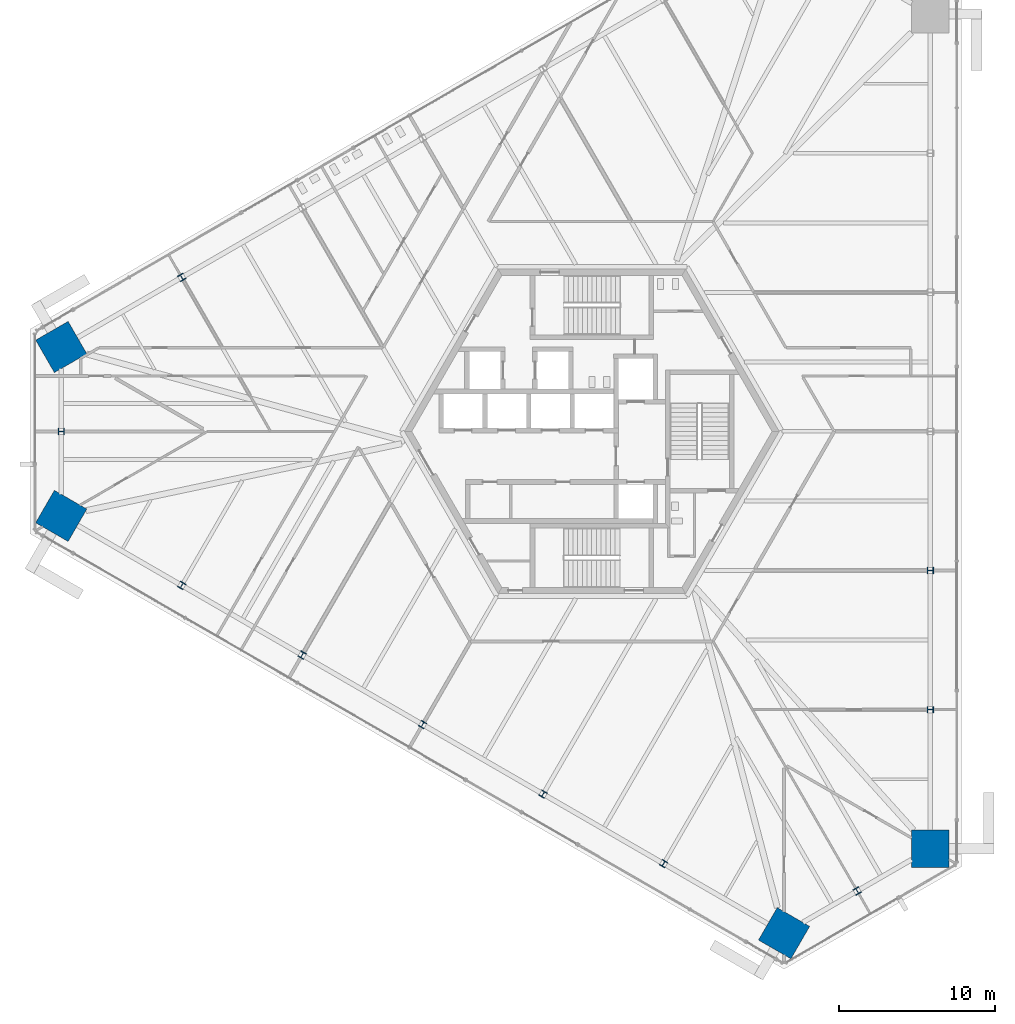
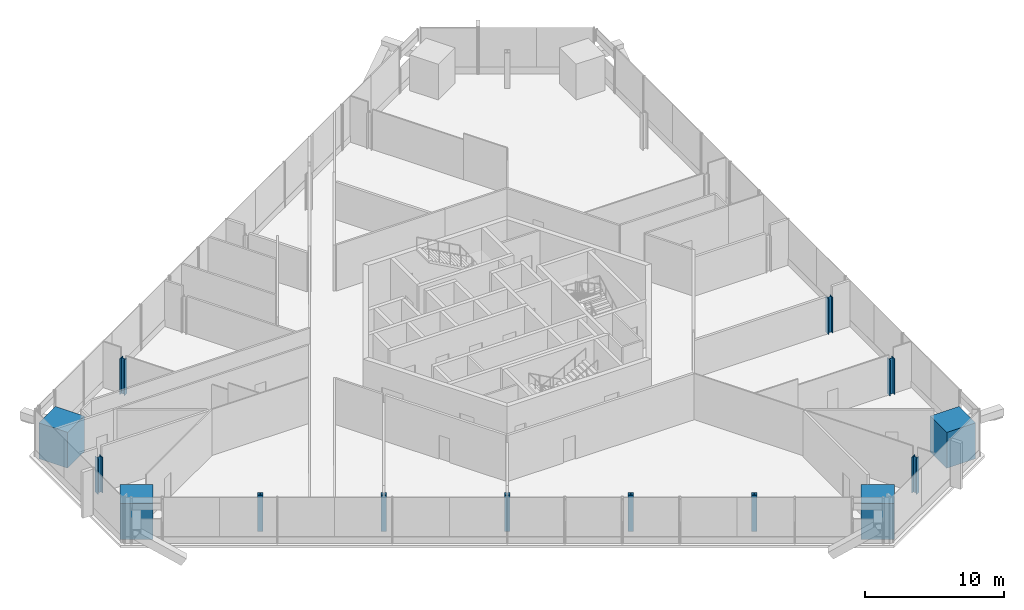
# One storey, part 1 of 22: 14 columns.
"""IFC4 building model written with IfcOpenShell, lengths in metres."""

import ifcopenshell
import ifcopenshell.guid

model = None  # the IFC model being written
_history = None  # IfcOwnerHistory: only IFC2X3 demands one
_inside = {}  # id of a spatial element -> (the spatial element, [elements in it])
_under = {}  # id of a project, library or spatial element -> (it, [spatial elements below it])
_declared = {}  # id of a project -> (the project, [libraries it declares])
_typed = {}  # id of a type object -> (the type object, [elements of that type])
_made_of = {}  # id of a material, layer set ... -> (it, [elements and type objects made of it])


def new_model(schema):
    """Start an empty IFC model of exactly this schema.

    Asked for "IFC4X3", IfcOpenShell would pick the latest addendum, in which some entities
    have other attributes; the version numbers below select the first issue.
    IFC2X3 requires an IfcOwnerHistory on every rooted entity: one is made here for all.
    """
    global model, _history
    if schema == "IFC4X3":
        model = ifcopenshell.file(schema_version=(4, 3, 0, 0))
    else:
        model = ifcopenshell.file(schema=schema)
    _inside.clear()
    _under.clear()
    _declared.clear()
    _typed.clear()
    _made_of.clear()
    _history = None
    if model.schema == "IFC2X3":
        org = make("IfcOrganization", Name="unknown")
        user = make(
            "IfcPersonAndOrganization",
            ThePerson=make("IfcPerson", FamilyName="unknown"),
            TheOrganization=org,
        )
        app = make(
            "IfcApplication",
            ApplicationDeveloper=org,
            Version="unknown",
            ApplicationFullName="unknown",
            ApplicationIdentifier="unknown",
        )
        _history = make(
            "IfcOwnerHistory",
            OwningUser=user,
            OwningApplication=app,
            ChangeAction="ADDED",
            CreationDate=0,
        )
    return model


def make(cls, **values):
    """One entity of the class cls with the attributes given. An attribute that is None is left unset."""
    return model.create_entity(
        cls, **{name: value for name, value in values.items() if value is not None}
    )


def rooted(cls, **values):
    """An entity with a GlobalId (a new one), such as an element, a storey or a relation."""
    return make(cls, GlobalId=ifcopenshell.guid.new(), OwnerHistory=_history, **values)


def si_unit(unit_type, name, prefix=None):
    """IfcSIUnit, for example si_unit("LENGTHUNIT", "METRE", prefix="MILLI")."""
    return make("IfcSIUnit", UnitType=unit_type, Prefix=prefix, Name=name)


def assignment(units):
    """IfcUnitAssignment: the units of a project."""
    return None if units is None else make("IfcUnitAssignment", Units=units)


def point(xyz):
    """IfcCartesianPoint."""
    return None if xyz is None else make("IfcCartesianPoint", Coordinates=xyz)


def direction(xyz):
    """IfcDirection."""
    return None if xyz is None else make("IfcDirection", DirectionRatios=xyz)


def frame(location, z_axis=None, x_axis=None):
    """IfcAxis2Placement3D, a coordinate frame: its origin and axes. An axis left out is left unset."""
    return make(
        "IfcAxis2Placement3D",
        Location=point(location),
        Axis=direction(z_axis),
        RefDirection=direction(x_axis),
    )


def frame_2d(location, x_axis=None):
    """IfcAxis2Placement2D, a coordinate frame in the plane: its origin and x axis."""
    return make(
        "IfcAxis2Placement2D", Location=point(location), RefDirection=direction(x_axis)
    )


def origin():
    """The frame at (0, 0, 0) with its axes left unset."""
    return frame((0.0, 0.0, 0.0))


def origin_2d():
    """The frame at (0, 0) in the plane with its x axis left unset."""
    return frame_2d((0.0, 0.0))


def place(relative_to, where):
    """IfcLocalPlacement: puts the frame where relative to a parent placement (None: the world)."""
    return make(
        "IfcLocalPlacement", PlacementRelTo=relative_to, RelativePlacement=where
    )


def context(
    kind, dimensions, precision=None, world=None, true_north=None, identifier=None
):
    """IfcGeometricRepresentationContext, for example the 3D "Model" context."""
    return make(
        "IfcGeometricRepresentationContext",
        ContextIdentifier=identifier,
        ContextType=kind,
        CoordinateSpaceDimension=dimensions,
        Precision=precision,
        WorldCoordinateSystem=world,
        TrueNorth=true_north,
    )


def subcontext(parent, identifier, kind, view, scale=None):
    """IfcGeometricRepresentationSubContext, for example "Body" below "Model"."""
    return make(
        "IfcGeometricRepresentationSubContext",
        ContextIdentifier=identifier,
        ContextType=kind,
        ParentContext=parent,
        TargetScale=scale,
        TargetView=view,
    )


def project(units=None, contexts=None):
    """IfcProject with its units and contexts."""
    return rooted(
        "IfcProject",
        Name="project",
        RepresentationContexts=contexts,
        UnitsInContext=assignment(units),
    )


def spatial(cls, under=None, at=None, **own):
    """A site, building, storey or space (cls), placed at a placement, below another one or the project."""
    s = rooted(cls, ObjectPlacement=at, **own)
    if under is not None:
        _under.setdefault(under.id(), (under, []))[1].append(s)
    return s


def profile(cls, at=None, kind="AREA", **sizes):
    """A parametric profile (cls). Its sizes go by their IFC names, for example OverallWidth=200.0."""
    return make(cls, ProfileType=kind, Position=at, **sizes)


def rectangle(**sizes):
    """IfcRectangleProfileDef."""
    return profile("IfcRectangleProfileDef", **sizes)


def i_section(**sizes):
    """IfcIShapeProfileDef."""
    return profile("IfcIShapeProfileDef", **sizes)


def extrude(swept, where, along, depth):
    """IfcExtrudedAreaSolid: the profile swept, set in the frame where, extruded along a direction by depth."""
    return make(
        "IfcExtrudedAreaSolid",
        SweptArea=swept,
        Position=where,
        ExtrudedDirection=direction(along),
        Depth=depth,
    )


def shape(context_of_items, identifier, shape_type, items):
    """IfcShapeRepresentation: the items that make up one representation, for example the "Body"."""
    return make(
        "IfcShapeRepresentation",
        ContextOfItems=context_of_items,
        RepresentationIdentifier=identifier,
        RepresentationType=shape_type,
        Items=items,
    )


def source(mapping_origin, context_of_items, identifier, shape_type, items):
    """IfcRepresentationMap: a shape defined once, which mapped items show again and again."""
    return make(
        "IfcRepresentationMap",
        MappingOrigin=mapping_origin,
        MappedRepresentation=shape(context_of_items, identifier, shape_type, items),
    )


def transform(
    local_origin,
    x_axis=None,
    y_axis=None,
    z_axis=None,
    scale=None,
    scale2=None,
    scale3=None,
    uniform=True,
):
    """IfcCartesianTransformationOperator3D, or its non-uniform kind. x_axis, y_axis, z_axis: its Axis1, 2, 3."""
    if uniform:
        return make(
            "IfcCartesianTransformationOperator3D",
            Axis1=direction(x_axis),
            Axis2=direction(y_axis),
            LocalOrigin=point(local_origin),
            Scale=scale,
            Axis3=direction(z_axis),
        )
    return make(
        "IfcCartesianTransformationOperator3DnonUniform",
        Axis1=direction(x_axis),
        Axis2=direction(y_axis),
        LocalOrigin=point(local_origin),
        Scale=scale,
        Axis3=direction(z_axis),
        Scale2=scale2,
        Scale3=scale3,
    )


def mapped(mapping_source, mapping_target):
    """IfcMappedItem: shows the shape of a source again, moved by a transform."""
    return make(
        "IfcMappedItem", MappingSource=mapping_source, MappingTarget=mapping_target
    )


def material(Name=None, Category=None):
    """IfcMaterial."""
    return make("IfcMaterial", Name=Name, Category=Category)


def material_profile(
    of_material, cross_section, Name=None, Category=None, Priority=None
):
    """IfcMaterialProfile: a cross section and its material."""
    return make(
        "IfcMaterialProfile",
        Name=Name,
        Material=of_material,
        Profile=cross_section,
        Priority=Priority,
        Category=Category,
    )


def profile_set(profiles, Name=None, composite=None):
    """IfcMaterialProfileSet."""
    return make(
        "IfcMaterialProfileSet",
        Name=Name,
        MaterialProfiles=profiles,
        CompositeProfile=composite,
    )


def made_of(thing, what):
    """Note that an element or type object is made of a material, layer set ...; save() writes the relation."""
    if what is not None:
        _made_of.setdefault(what.id(), (what, []))[1].append(thing)
    return thing


def type_object(cls, material=None, **own):
    """A type object (cls), such as IfcWallType, which elements share."""
    return made_of(rooted(cls, **own), material)


def element(
    cls,
    number,
    at=None,
    inside=None,
    cuts=None,
    type_object=None,
    material=None,
    context=None,
    identifier="Body",
    shape_type=None,
    held_by="IfcProductDefinitionShape",
    body=None,
    shapes=None,
    **own,
):
    """One element of the class cls, such as IfcWall. Its Tag is "e" and its number.

    at: its placement. inside: the storey or other place that contains it. cuts: it is an
    opening in that element (IfcRelVoidsElement). A single representation is given by context,
    identifier, shape_type and body (its items); several are given by shapes. held_by: the class
    of the entity that holds the representations. save() writes the other relations.
    """
    e = rooted(cls, Tag="e%d" % number, ObjectPlacement=at, **own)
    if body is not None:
        shapes = [shape(context, identifier, shape_type, body)]
    if shapes is not None:
        e.Representation = make(held_by, Representations=shapes)
    if inside is not None:
        _inside.setdefault(inside.id(), (inside, []))[1].append(e)
    if cuts is not None:
        rooted(
            "IfcRelVoidsElement", RelatingBuildingElement=cuts, RelatedOpeningElement=e
        )
    if type_object is not None:
        _typed.setdefault(type_object.id(), (type_object, []))[1].append(e)
    return made_of(e, material)


def aggregate(whole, parts):
    """IfcRelAggregates: a whole, such as a stair, and the parts it consists of."""
    return rooted("IfcRelAggregates", RelatingObject=whole, RelatedObjects=parts)


def save(model, path):
    """Write the relations noted so far, then the file.

    IfcRelAggregates (storeys below a building ...), IfcRelContainedInSpatialStructure (elements
    in a storey), IfcRelDefinesByType, IfcRelAssociatesMaterial and IfcRelDeclares: one each for
    every whole, place, type object, material and project.
    """
    for whole, parts in _under.values():
        aggregate(whole, parts)
    for where, things in _inside.values():
        rooted(
            "IfcRelContainedInSpatialStructure",
            RelatedElements=things,
            RelatingStructure=where,
        )
    for kind, things in _typed.values():
        rooted("IfcRelDefinesByType", RelatedObjects=things, RelatingType=kind)
    for what, things in _made_of.values():
        rooted("IfcRelAssociatesMaterial", RelatedObjects=things, RelatingMaterial=what)
    for by, libraries in _declared.values():
        rooted("IfcRelDeclares", RelatingContext=by, RelatedDefinitions=libraries)
    model.write(path)


model = new_model("IFC4")

# Units and contexts
model_context = context("Model", 3, precision=1e-05, world=origin(), true_north=direction((0.0, 1.0)))
body_context = subcontext(model_context, "Body", "Model", "MODEL_VIEW")
ifc_project = project(units=[si_unit("LENGTHUNIT", "METRE"), si_unit("AREAUNIT", "SQUARE_METRE"), si_unit("VOLUMEUNIT", "CUBIC_METRE"), si_unit("PLANEANGLEUNIT", "RADIAN"), si_unit("MASSUNIT", "GRAM", prefix="KILO")], contexts=[model_context])

# Site, building, storey
site_placement = place(None, origin())
site = spatial("IfcSite", under=ifc_project, at=site_placement, CompositionType="ELEMENT")
building_placement = place(site_placement, origin())
building = spatial("IfcBuilding", under=site, at=building_placement, Name="Triune Harvest Tower", CompositionType="ELEMENT")
storey_placement = place(building_placement, frame((0.0, 0.0, 50.39990234375)))
storey = spatial("IfcBuildingStorey", under=building, at=storey_placement, Name="L11", CompositionType="ELEMENT", Elevation=50.39990234375)

# Columns
ifc_material_1 = material(Name="Concrete 70 MPa", Category="concrete")
ifc_material_profile_1 = material_profile(ifc_material_1, rectangle(XDim=2.39990234375, YDim=2.39990234375, at=origin_2d()), Name="Composite 2400x2400")
ifc_profile_set_1 = profile_set([ifc_material_profile_1], Name="Concrete 70 MPa")
column_type_1 = type_object("IfcColumnType", Name="MC-1 Mega column Composite 2400x2400", PredefinedType="COLUMN", material=ifc_profile_set_1)
shared_shape_1 = source(origin(), body_context, "Body", "SweptSolid", [
    extrude(rectangle(XDim=2.39990234375, YDim=2.39990234375, at=origin_2d()), origin(), (0.0, 0.0, 1.0), 3.150146484375),
])
for number, where, z_axis, x_axis, name in (
    (1, (21.679443359375, -26.72998046875, 0.0), (0.0, 0.0, 1.0), (0.0, 1.0, 0.0), "col/L11/M0"),
    (2, (-33.988525390625, 5.409912109375, 0.0), (0.0, 0.0, 1.0), (-0.866025403784, -0.5, 0.0), "col/L11/M14"),
    (3, (-33.988525390625, -5.409912109375, 0.0), (0.0, 0.0, 1.0), (0.866025403784, -0.5, 0.0), "col/L11/M16"),
    (4, (12.30908203125, -32.139892578125, 0.0), (0.0, 0.0, 1.0), (0.866025403784, -0.5, 0.0), "col/L11/M22"),
):
    element("IfcColumn", number, at=place(storey_placement, frame(where, z_axis=z_axis, x_axis=x_axis)), inside=storey, type_object=column_type_1, Name=name, PredefinedType="COLUMN", context=body_context, shape_type="MappedRepresentation", body=[
        mapped(shared_shape_1, transform((0.0, 0.0, 0.0), scale=1.0)),
    ])
ifc_material_2 = material(Name="Steel ASTM A992 Gr 50", Category="steel")
ifc_material_profile_2 = material_profile(ifc_material_2, i_section(OverallWidth=0.40380859375, OverallDepth=0.406494140625, WebThickness=0.027099609375, FlangeThickness=0.043701171875, at=origin_2d()), Name="W14x233")
ifc_profile_set_2 = profile_set([ifc_material_profile_2], Name="Steel ASTM A992 Gr 50")
column_type_2 = type_object("IfcColumnType", Name="PC-1 Perimeter column W14x233", PredefinedType="COLUMN", material=ifc_profile_set_2)
shared_shape_2 = source(origin(), body_context, "Body", "SweptSolid", [
    extrude(i_section(OverallWidth=0.40380859375, OverallDepth=0.406494140625, WebThickness=0.027099609375, FlangeThickness=0.043701171875, at=origin_2d()), origin(), (0.0, 0.0, 1.0), 3.150146484375),
])
for number, where, z_axis, x_axis, name in (
    (5, (21.679443359375, -17.820068359375, 0.0), (0.0, 0.0, 1.0), (0.0, 1.0, 0.0), "col/L11/P1"),
    (6, (21.679443359375, -8.909912109375, 0.0), (0.0, 0.0, 1.0), (0.0, 1.0, 0.0), "col/L11/P2"),
    (7, (-26.272216796875, 9.864990234375, 0.0), (0.0, 0.0, 1.0), (-0.866025403784, -0.5, 0.0), "col/L11/P13"),
    (8, (-33.988525390625, 0.0, 0.0), (0.0, 0.0, 1.0), (0.0, -1.0, 0.0), "col/L11/P15"),
    (9, (-26.272216796875, -9.864990234375, 0.0), (0.0, 0.0, 1.0), (0.866025403784, -0.5, 0.0), "col/L11/P17"),
    (10, (-18.555908203125, -14.320068359375, 0.0), (0.0, 0.0, 1.0), (0.866025403784, -0.5, 0.0), "col/L11/P18"),
    (11, (-10.839599609375, -18.77490234375, 0.0), (0.0, 0.0, 1.0), (0.866025403784, -0.5, 0.0), "col/L11/P19"),
    (12, (-3.12353515625, -23.22998046875, 0.0), (0.0, 0.0, 1.0), (0.866025403784, -0.5, 0.0), "col/L11/P20"),
    (13, (4.5927734375, -27.68505859375, 0.0), (0.0, 0.0, 1.0), (0.866025403784, -0.5, 0.0), "col/L11/P21"),
    (14, (16.994384765625, -29.43505859375, 0.0), (0.0, 0.0, 1.0), (0.866026276448, 0.4999984885, 0.0), "col/L11/P23"),
):
    element("IfcColumn", number, at=place(storey_placement, frame(where, z_axis=z_axis, x_axis=x_axis)), inside=storey, type_object=column_type_2, Name=name, PredefinedType="COLUMN", context=body_context, shape_type="MappedRepresentation", body=[
        mapped(shared_shape_2, transform((0.0, 0.0, 0.0), scale=1.0)),
    ])

save(model, "model.ifc")
